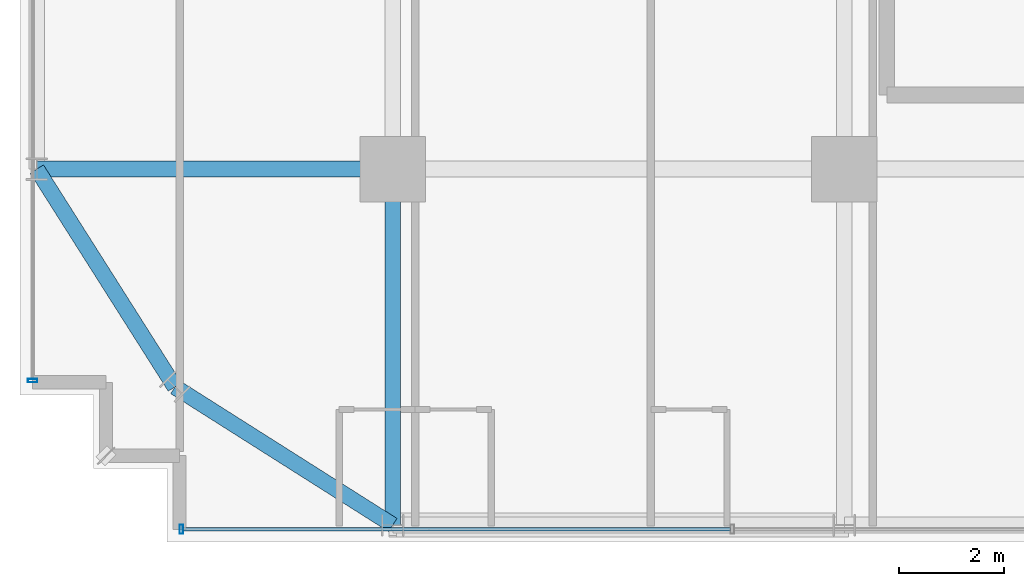
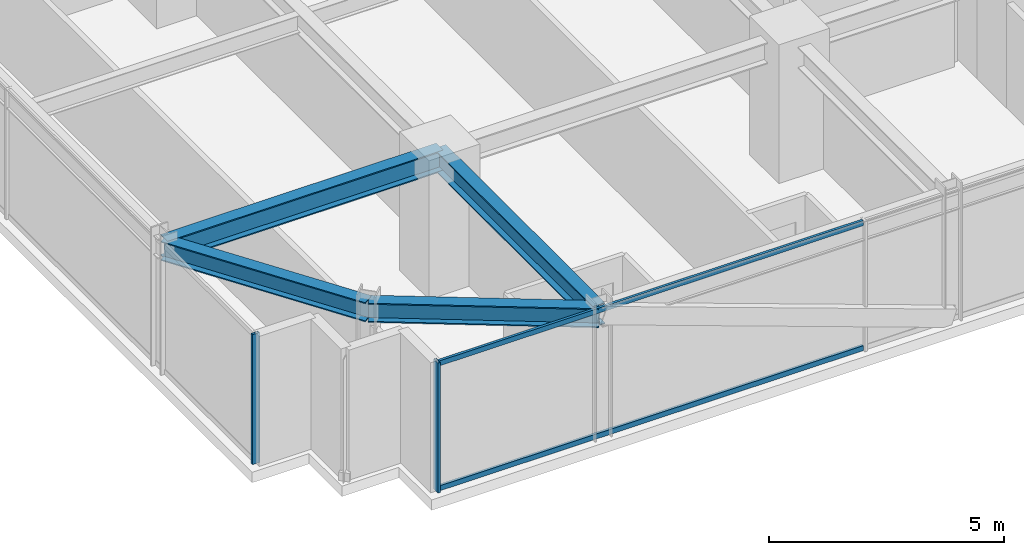
# One storey, part 2 of 41: 4 beams, 4 members, 2 elements without a shape of their own.
"""IFC4 building model written with IfcOpenShell, lengths in metres."""

from ifc_helpers import new_model, si_unit, direction, frame, origin, origin_2d, place, context, subcontext, project, spatial, hollow_rectangle, i_section, extrude, source, transform, mapped, material, material_profile, profile_set, type_object, element, aggregate, save


model = new_model("IFC4")

# Units and contexts
model_context = context("Model", 3, precision=1e-05, world=origin(), true_north=direction((0.0, 1.0)))
body_context = subcontext(model_context, "Body", "Model", "MODEL_VIEW")
ifc_project = project(units=[si_unit("LENGTHUNIT", "METRE"), si_unit("AREAUNIT", "SQUARE_METRE"), si_unit("VOLUMEUNIT", "CUBIC_METRE"), si_unit("PLANEANGLEUNIT", "RADIAN"), si_unit("MASSUNIT", "GRAM", prefix="KILO")], contexts=[model_context])

# Site, building, storey
site_placement = place(None, origin())
site = spatial("IfcSite", under=ifc_project, at=site_placement, CompositionType="ELEMENT")
building_placement = place(site_placement, origin())
building = spatial("IfcBuilding", under=site, at=building_placement, Name="Nahalor Promenade Grand Hotel", CompositionType="ELEMENT")
storey_placement = place(building_placement, frame((0.0, 0.0, 113.85009765625)))
storey = spatial("IfcBuildingStorey", under=building, at=storey_placement, Name="L28", CompositionType="ELEMENT", Elevation=113.85009765625)

# Beams
ifc_material_1 = material(Name="Steel S355JR", Category="steel")
ifc_material_profile_1 = material_profile(ifc_material_1, i_section(OverallWidth=0.3, OverallDepth=0.5, WebThickness=0.0145, FlangeThickness=0.028, at=origin_2d()), Name="HEB 500")
ifc_profile_set_1 = profile_set([ifc_material_profile_1], Name="Steel S355JR")
beam_type_1 = type_object("IfcBeamType", Name="Beam-Spandrel-HEB500", PredefinedType="SPANDREL", material=ifc_profile_set_1)
shared_shape_1 = source(origin(), body_context, "Body", "SweptSolid", [
    extrude(i_section(OverallWidth=0.3, OverallDepth=0.5, WebThickness=0.0145, FlangeThickness=0.028, at=origin_2d()), origin(), (0.0, 0.0, 1.0), 4.9130859375),
])
for number, where, z_axis, x_axis, name in (
    (1, (-17.0, -23.780029296875, 3.1298828125), (-0.844648325505, 0.535321591403, 0.0), (-0.535321591403, -0.844648325505, 0.0), "BM-L28-SPC-SW-1"),
    (2, (-21.14990234375, -21.14990234375, 3.1298828125), (-0.535321591403, 0.844648325505, 0.0), (-0.844648325505, -0.535321591403, 0.0), "BM-L28-SPC-SW-2"),
):
    element("IfcBeam", number, at=place(storey_placement, frame(where, z_axis=z_axis, x_axis=x_axis)), inside=storey, type_object=beam_type_1, Name=name, PredefinedType="SPANDREL", context=body_context, shape_type="MappedRepresentation", body=[
        mapped(shared_shape_1, transform((0.0, 0.0, 0.0), scale=1.0)),
    ])
ifc_material_profile_2 = material_profile(ifc_material_1, i_section(OverallWidth=0.3, OverallDepth=0.55, WebThickness=0.015, FlangeThickness=0.029, at=origin_2d()), Name="HEB 550")
ifc_profile_set_2 = profile_set([ifc_material_profile_2], Name="Steel S355JR")
beam_type_2 = type_object("IfcBeamType", Name="Beam-Girder-HEB550", PredefinedType="BEAM", material=ifc_profile_set_2)
shared_shape_2 = source(origin(), body_context, "Body", "SweptSolid", [
    extrude(i_section(OverallWidth=0.3, OverallDepth=0.55, WebThickness=0.015, FlangeThickness=0.029, at=origin_2d()), origin(), (0.0, 0.0, 1.0), 6.780029296875),
])
for number, where, z_axis, x_axis, name in (
    (3, (-23.780029296875, -17.0, 3.10498046875), (1.0, 0.0, 0.0), (0.0, 1.0, 0.0), "BM-L28-GX-0-0"),
    (4, (-17.0, -23.780029296875, 3.10498046875), (0.0, 1.0, 0.0), (-1.0, 0.0, 0.0), "BM-L28-GY-0-0"),
):
    element("IfcBeam", number, at=place(storey_placement, frame(where, z_axis=z_axis, x_axis=x_axis)), inside=storey, type_object=beam_type_2, Name=name, PredefinedType="BEAM", context=body_context, shape_type="MappedRepresentation", body=[
        mapped(shared_shape_2, transform((0.0, 0.0, 0.0), scale=1.0)),
    ])

# Curtain wall, member
ifc_material_2 = material(Name="Anodised Bronze Aluminium EN AW-6063 T6", Category="aluminium")
curtain_wall_type = type_object("IfcCurtainWallType", Name="CW2 Typical Hotel Flush Bronze Unitised Curtain Wall", PredefinedType="USERDEFINED", material=ifc_material_2)
curtain_wall_1_placement = place(storey_placement, origin())
curtain_wall_1 = element("IfcCurtainWall", 5, at=curtain_wall_1_placement, inside=storey, type_object=curtain_wall_type, Name="L28 Curtain Wall CW-L28-S-1", ObjectType="UNITISED_CURTAIN_WALL", PredefinedType="USERDEFINED")
ifc_material_profile_3 = material_profile(ifc_material_2, hollow_rectangle(XDim=0.065, YDim=0.18, WallThickness=0.004, at=origin_2d()), Name="CWM 65x180x4")
ifc_profile_set_3 = profile_set([ifc_material_profile_3], Name="Anodised Bronze Aluminium EN AW-6063 T6")
member_type_1 = type_object("IfcMemberType", Name="CWM2 Typical Bronze Mullion 65x180", PredefinedType="MULLION", material=ifc_profile_set_3)
shared_shape_3 = source(origin(), body_context, "Body", "SweptSolid", [
    extrude(hollow_rectangle(XDim=0.065, YDim=0.18, WallThickness=0.004, at=origin_2d()), origin(), (0.0, 0.0, 1.0), 3.3798828125),
])
member_1_placement = place(storey_placement, frame((-21.027587890625, -23.860107421875, 0.0), z_axis=(0.0, 0.0, 1.0), x_axis=(1.0, 0.0, 0.0)))
member_1 = element("IfcMember", 6, at=member_1_placement, type_object=member_type_1, Name="CW-L28-S-1 Mullion 0", PredefinedType="MULLION", context=body_context, shape_type="MappedRepresentation", body=[
    mapped(shared_shape_3, transform((0.0, 0.0, 0.0), scale=1.0)),
])

curtain_wall_2_placement = place(storey_placement, origin())
curtain_wall_2 = element("IfcCurtainWall", 7, at=curtain_wall_2_placement, inside=storey, type_object=curtain_wall_type, Name="L28 Curtain Wall CW-L28-W-1", ObjectType="UNITISED_CURTAIN_WALL", PredefinedType="USERDEFINED")
member_2_placement = place(storey_placement, frame((-23.860107421875, -21.027587890625, 0.0), z_axis=(0.0, 0.0, 1.0), x_axis=(0.0, 1.0, 0.0)))
member_2 = element("IfcMember", 8, at=member_2_placement, type_object=member_type_1, Name="CW-L28-W-1 Mullion 0", PredefinedType="MULLION", context=body_context, shape_type="MappedRepresentation", body=[
    mapped(shared_shape_3, transform((0.0, 0.0, 0.0), scale=1.0)),
])
aggregate(curtain_wall_2, [member_2])

# Member
ifc_material_profile_4 = material_profile(ifc_material_2, hollow_rectangle(XDim=0.065, YDim=0.13, WallThickness=0.004, at=origin_2d()), Name="CWT 65x130x4")
ifc_profile_set_4 = profile_set([ifc_material_profile_4], Name="Anodised Bronze Aluminium EN AW-6063 T6")
member_type_2 = type_object("IfcMemberType", Name="CWT2 Typical Bronze Transom 65x130", PredefinedType="USERDEFINED", material=ifc_profile_set_4)
shared_shape_4 = source(origin(), body_context, "Body", "SweptSolid", [
    extrude(hollow_rectangle(XDim=0.065, YDim=0.13, WallThickness=0.004, at=origin_2d()), origin(), (0.0, 0.0, 1.0), 10.4326171875),
])
member_3_placement = place(storey_placement, frame((-20.9951171875, -23.860107421875, 0.06494140625), z_axis=(1.0, 0.0, 0.0), x_axis=(0.0, 1.0, 0.0)))
member_3 = element("IfcMember", 9, at=member_3_placement, type_object=member_type_2, Name="CW-L28-S-1 Transom 0-0", ObjectType="TRANSOM", PredefinedType="USERDEFINED", context=body_context, shape_type="MappedRepresentation", body=[
    mapped(shared_shape_4, transform((0.0, 0.0, 0.0), scale=1.0)),
])

member_4_placement = place(storey_placement, frame((-20.9951171875, -23.860107421875, 3.31494140625), z_axis=(1.0, 0.0, 0.0), x_axis=(0.0, 1.0, 0.0)))
member_4 = element("IfcMember", 10, at=member_4_placement, type_object=member_type_2, Name="CW-L28-S-1 Transom 0-1", ObjectType="TRANSOM", PredefinedType="USERDEFINED", context=body_context, shape_type="MappedRepresentation", body=[
    mapped(shared_shape_4, transform((0.0, 0.0, 0.0), scale=1.0)),
])

aggregate(curtain_wall_1, [member_1, member_3, member_4])

save(model, "model.ifc")
